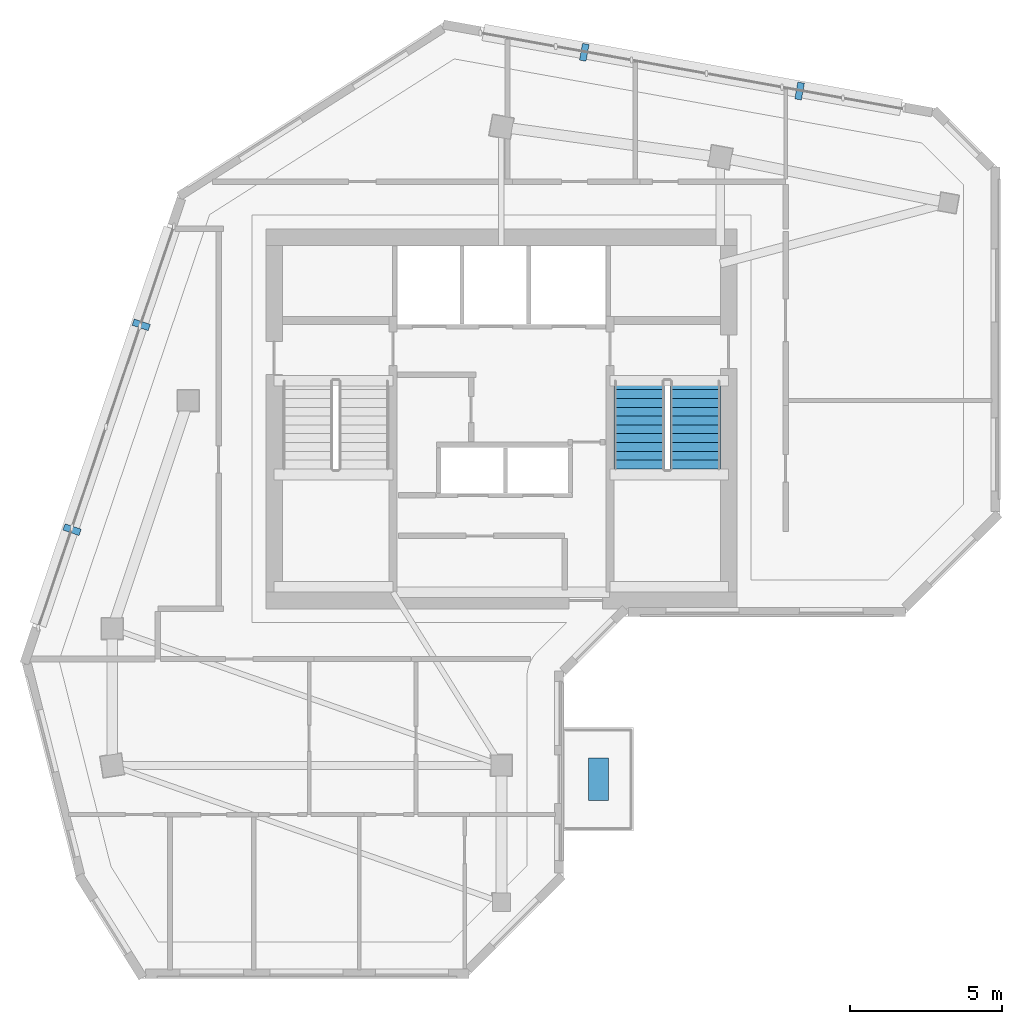
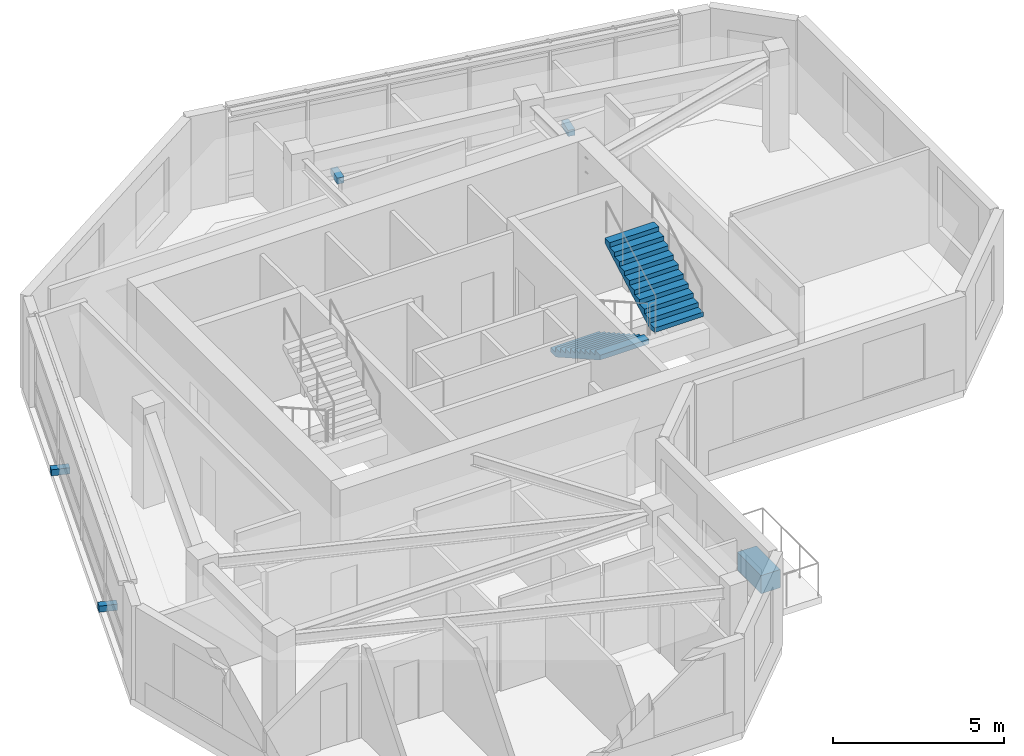
# One storey, part 6 of 8: 5 discrete accessories, 2 stair flights, 1 element without a shape of its own.
"""IFC4 building model written with IfcOpenShell, lengths in metres."""

from ifc_helpers import new_model, si_unit, direction, frame, origin, origin_2d, place, context, subcontext, project, spatial, polyline, rectangle, outline, extrude, source, transform, mapped, material, type_object, element, aggregate, save


model = new_model("IFC4")

# Units and contexts
model_context = context("Model", 3, precision=1e-05, world=origin(), true_north=direction((0.0, 1.0)))
body_context = subcontext(model_context, "Body", "Model", "MODEL_VIEW")
ifc_project = project(units=[si_unit("LENGTHUNIT", "METRE"), si_unit("AREAUNIT", "SQUARE_METRE"), si_unit("VOLUMEUNIT", "CUBIC_METRE"), si_unit("PLANEANGLEUNIT", "RADIAN"), si_unit("MASSUNIT", "GRAM", prefix="KILO")], contexts=[model_context])

# Site, building, storey
site_placement = place(None, origin())
site = spatial("IfcSite", under=ifc_project, at=site_placement, CompositionType="ELEMENT")
building_placement = place(site_placement, origin())
building = spatial("IfcBuilding", under=site, at=building_placement, Name="Calvemar Wedge Station Tower", CompositionType="ELEMENT")
storey_placement = place(building_placement, frame((0.0, 0.0, 281.699951171875)))
storey = spatial("IfcBuildingStorey", under=building, at=storey_placement, Name="L72", CompositionType="ELEMENT", Elevation=281.699951171875)

# Stair, stair flights
ifc_material_1 = material(Name="Concrete C45", Category="concrete")
stair_type = type_object("IfcStairType", Name="ST-TYPE-3600", PredefinedType="HALF_TURN_STAIR", material=ifc_material_1)
stair_placement = place(storey_placement, origin())
stair = element("IfcStair", 1, at=stair_placement, inside=storey, type_object=stair_type, Name="L72 Pressurized Core Exit Stair ST-C2", PredefinedType="HALF_TURN_STAIR")
stair_flight_type = type_object("IfcStairFlightType", Name="STF-TYPE-3600", PredefinedType="STRAIGHT", material=ifc_material_1)
stair_flight_1_placement = place(storey_placement, frame((28.330078125, 41.14990234375, 0.0), z_axis=(0.0, 0.0, 1.0), x_axis=(0.0, -1.0, 0.0)))
stair_flight_1 = element("IfcStairFlight", 2, at=stair_flight_1_placement, type_object=stair_flight_type, Name="ST-C2 flight 1", NumberOfRisers=11, NumberOfTreads=10, PredefinedType="STRAIGHT", RiserHeight=0.163636364, TreadLength=0.29, context=body_context, shape_type="SweptSolid", body=[
    extrude(outline(polyline([(0.0, 0.0), (0.0, 0.16357421875), (0.2900390625, 0.16357421875), (0.2900390625, 0.327392578125), (0.580078125, 0.327392578125), (0.580078125, 0.490966796875), (0.8701171875, 0.490966796875), (0.8701171875, 0.654541015625), (1.159912109375, 0.654541015625), (1.159912109375, 0.818115234375), (1.449951171875, 0.818115234375), (1.449951171875, 0.98193359375), (1.739990234375, 0.98193359375), (1.739990234375, 1.1455078125), (2.030029296875, 1.1455078125), (2.030029296875, 1.30908203125), (2.320068359375, 1.30908203125), (2.320068359375, 1.47265625), (2.610107421875, 1.47265625), (2.610107421875, 1.636474609375), (2.89990234375, 1.636474609375), (2.89990234375, 1.800048828125), (2.89990234375, 1.46435546875), (0.304931640625, 0.0), (0.0, 0.0)])), frame((0.0, 0.830078125, 0.0), z_axis=(0.0, -1.0, 0.0), x_axis=(1.0, 0.0, 0.0)), (0.0, 0.0, 1.0), 1.659912109375),
])
stair_flight_2_placement = place(storey_placement, frame((30.169921875, 38.25, 1.800048828125), z_axis=(0.0, 0.0, 1.0), x_axis=(0.0, 1.0, 0.0)))
stair_flight_2 = element("IfcStairFlight", 3, at=stair_flight_2_placement, type_object=stair_flight_type, Name="ST-C2 flight 2", NumberOfRisers=11, NumberOfTreads=10, PredefinedType="STRAIGHT", RiserHeight=0.163636364, TreadLength=0.29, context=body_context, shape_type="SweptSolid", body=[
    extrude(outline(polyline([(0.0, 0.0), (0.0, 0.16357421875), (0.2900390625, 0.16357421875), (0.2900390625, 0.327392578125), (0.580078125, 0.327392578125), (0.580078125, 0.490966796875), (0.8701171875, 0.490966796875), (0.8701171875, 0.654541015625), (1.159912109375, 0.654541015625), (1.159912109375, 0.818115234375), (1.449951171875, 0.818115234375), (1.449951171875, 0.98193359375), (1.739990234375, 0.98193359375), (1.739990234375, 1.1455078125), (2.030029296875, 1.1455078125), (2.030029296875, 1.30908203125), (2.320068359375, 1.30908203125), (2.320068359375, 1.47265625), (2.610107421875, 1.47265625), (2.610107421875, 1.636474609375), (2.89990234375, 1.636474609375), (2.89990234375, 1.800048828125), (2.89990234375, 1.46435546875), (0.304931640625, 0.0), (0.0, 0.0)])), frame((0.0, 0.830078125, 0.0), z_axis=(0.0, -1.0, 0.0), x_axis=(1.0, 0.0, 0.0)), (0.0, 0.0, 1.0), 1.659912109375),
])
aggregate(stair, [stair_flight_1, stair_flight_2])

# Discrete accessories
ifc_material_2 = material(Name="Stainless steel AISI 316L", Category="steel")
discrete_accessory_type_1 = type_object("IfcDiscreteAccessoryType", Name="BRK-316L", PredefinedType="BRACKET", material=ifc_material_2)
shared_shape_1 = source(origin(), body_context, "Body", "SweptSolid", [
    extrude(rectangle(XDim=0.219970703125, YDim=0.56005859375, at=origin_2d()), origin(), (0.0, 0.0, 1.0), 0.219970703125),
])
for number, where, z_axis, x_axis, name in (
    (4, (33.606201171875, 50.68017578125, 0.0), (0.0, 0.0, 1.0), (-0.984226500097, 0.176912963085, 0.0), "Storey L72 Recessed Facade Stainless Bracket 10.1"),
    (5, (26.52392578125, 51.953125, 0.0), (0.0, 0.0, 1.0), (-0.984226500097, 0.176912963085, 0.0), "Storey L72 Recessed Facade Stainless Bracket 10.2"),
    (6, (11.95361328125, 42.989990234375, 0.0), (0.0, 0.0, 1.0), (-0.319951634986, -0.947433876991, 0.0), "Storey L72 Recessed Facade Stainless Bracket 12.1"),
    (7, (9.67919921875, 36.25439453125, 0.0), (0.0, 0.0, 1.0), (-0.319951634986, -0.947433876991, 0.0), "Storey L72 Recessed Facade Stainless Bracket 12.2"),
):
    element("IfcDiscreteAccessory", number, at=place(storey_placement, frame(where, z_axis=z_axis, x_axis=x_axis)), inside=storey, type_object=discrete_accessory_type_1, Name=name, PredefinedType="BRACKET", context=body_context, shape_type="MappedRepresentation", body=[
        mapped(shared_shape_1, transform((0.0, 0.0, 0.0), scale=1.0)),
    ])
ifc_material_3 = material(Name="Precast concrete C45", Category="concrete")
discrete_accessory_type_2 = type_object("IfcDiscreteAccessoryType", Name="ACC-PLANTER", PredefinedType="USERDEFINED", material=ifc_material_3)
shared_shape_2 = source(origin(), body_context, "Body", "SweptSolid", [
    extrude(rectangle(XDim=0.64990234375, YDim=1.39990234375, at=origin_2d()), origin(), (0.0, 0.0, 1.0), 0.64990234375),
])
discrete_accessory_placement = place(storey_placement, frame((26.989990234375, 28.050048828125, 0.0), z_axis=(0.0, 0.0, 1.0), x_axis=(1.0, 0.0, 0.0)))
element("IfcDiscreteAccessory", 8, at=discrete_accessory_placement, inside=storey, type_object=discrete_accessory_type_2, Name="Storey L72 Planted Terrace GFRC Planter", ObjectType="PLANTER", PredefinedType="USERDEFINED", context=body_context, shape_type="MappedRepresentation", body=[
    mapped(shared_shape_2, transform((0.0, 0.0, 0.0), scale=1.0)),
])

save(model, "model.ifc")
